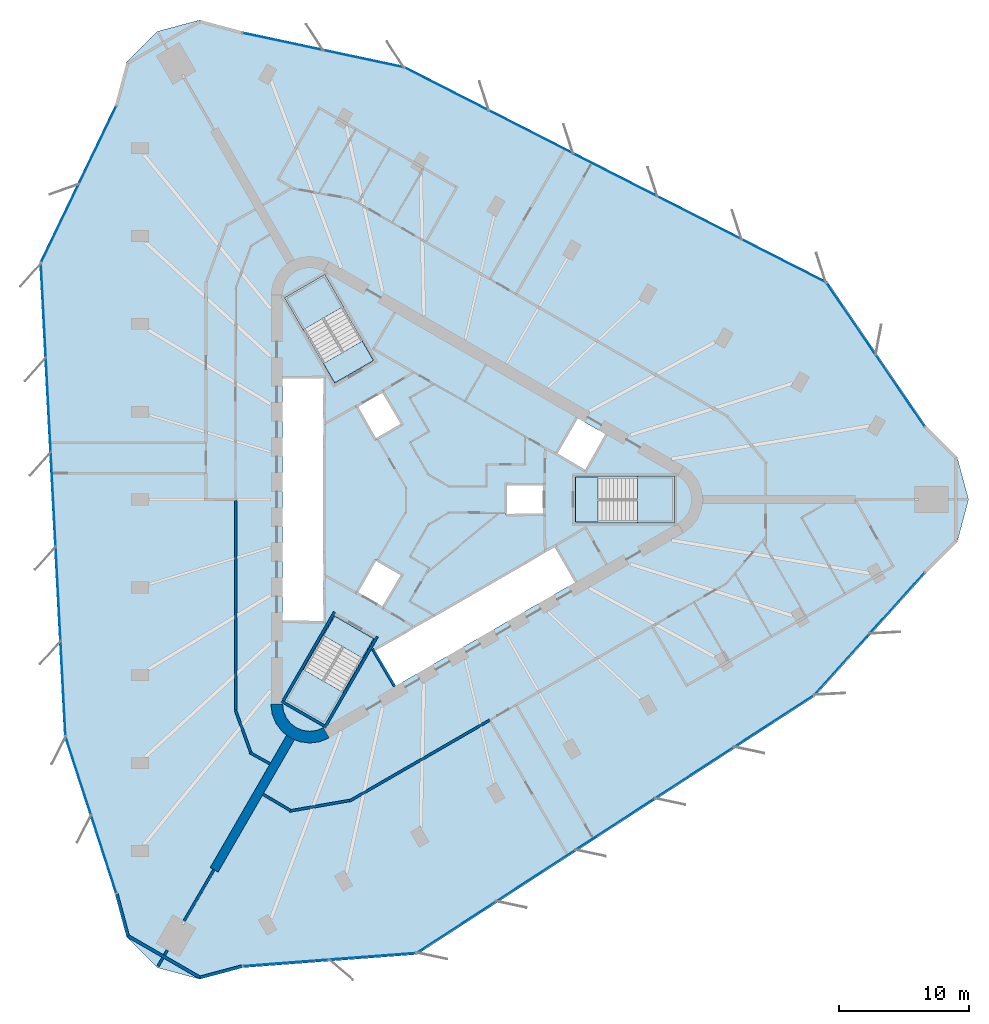
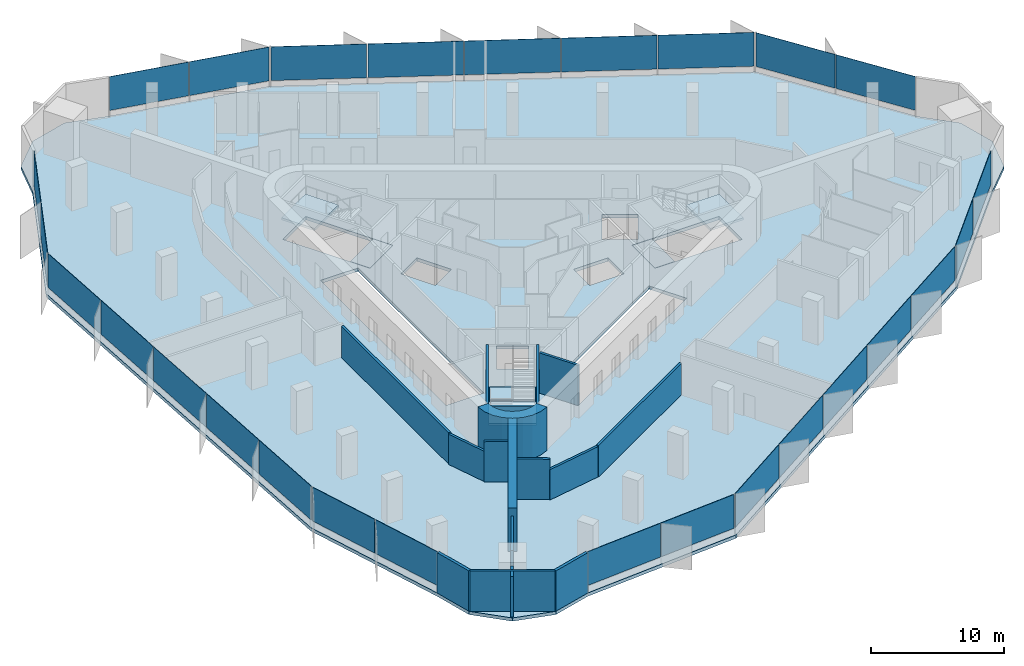
# One storey, part 7 of 14: 27 plates, 18 walls, 7 slabs, 12 elements without a shape of their own.
"""IFC4 building model written with IfcOpenShell, lengths in metres."""

from ifc_helpers import new_model, si_unit, direction, frame, frame_2d, origin, origin_2d, place, context, subcontext, project, spatial, polyline, rectangle, outline, extrude, material, layer, layer_set, type_object, element, aggregate, save


model = new_model("IFC4")

# Units and contexts
model_context = context("Model", 3, precision=1e-05, world=origin(), true_north=direction((0.0, 1.0)))
body_context = subcontext(model_context, "Body", "Model", "MODEL_VIEW")
ifc_project = project(units=[si_unit("LENGTHUNIT", "METRE"), si_unit("AREAUNIT", "SQUARE_METRE"), si_unit("VOLUMEUNIT", "CUBIC_METRE"), si_unit("PLANEANGLEUNIT", "RADIAN"), si_unit("MASSUNIT", "GRAM", prefix="KILO")], contexts=[model_context])

# Site, building, storey
site_placement = place(None, origin())
site = spatial("IfcSite", under=ifc_project, at=site_placement, CompositionType="ELEMENT")
building_placement = place(site_placement, origin())
building = spatial("IfcBuilding", under=site, at=building_placement, Name="Tanit Gate Tower", CompositionType="ELEMENT")
storey_placement = place(building_placement, frame((0.0, 0.0, 205.199951171875)))
storey = spatial("IfcBuildingStorey", under=building, at=storey_placement, Name="L45", CompositionType="ELEMENT", Elevation=205.199951171875)

# Slab
ifc_material_1 = material(Name="Concrete C35/45", Category="concrete")
ifc_layer_1 = layer(ifc_material_1, 0.300048828125)
ifc_layer_set_1 = layer_set([ifc_layer_1], Name="FLOOR SLAB 300 C35/45")
slab_type_1 = type_object("IfcSlabType", Name="FLOOR SLAB 300 C35/45", PredefinedType="FLOOR", material=ifc_layer_set_1)
slab_1_placement = place(storey_placement, frame((0.0, 0.0, -0.300048828125)))
element("IfcSlab", 1, at=slab_1_placement, inside=storey, type_object=slab_type_1, Name="FLOOR SLAB L45", PredefinedType="FLOOR", context=body_context, shape_type="SweptSolid", body=[
    extrude(outline(polyline([(38.39453125, 5.65771484375), (40.785888671875, 3.266357421875), (41.660888671875, 0.0), (40.785888671875, -3.266357421875), (38.39453125, -5.65771484375), (29.828857421875, -15.15869140625), (-0.8359375, -35.058349609375), (-14.297607421875, -36.07958984375), (-17.564208984375, -36.95458984375), (-20.83056640625, -36.07958984375), (-23.2216796875, -33.688232421875), (-24.096923828125, -30.421875), (-28.04248046875, -18.253173828125), (-29.943359375, 18.253173828125), (-24.096923828125, 30.421875), (-23.2216796875, 33.688232421875), (-20.83056640625, 36.07958984375), (-17.564208984375, 36.95458984375), (-14.297607421875, 36.07958984375), (-1.78662109375, 33.411865234375), (30.779296875, 16.80517578125), (38.39453125, 5.65771484375)]), holes=[polyline([(11.3701171875, 1.72998046875), (18.929931640625, 1.72998046875), (18.929931640625, -1.72998046875), (11.3701171875, -1.72998046875), (11.3701171875, 1.72998046875)]), polyline([(9.82080078125, 3.510009765625), (11.44580078125, 6.324462890625), (13.783935546875, 4.974609375), (12.158935546875, 2.159912109375), (9.82080078125, 3.510009765625)]), polyline([(-4.208984375, -11.60986328125), (9.82080078125, -3.510009765625), (11.44580078125, -6.324462890625), (-2.583984375, -14.424560546875), (-4.208984375, -11.60986328125)]), polyline([(6.0, 1.199951171875), (9.0, 1.199951171875), (9.0, -1.199951171875), (6.0, -1.199951171875), (6.0, 1.199951171875)]), polyline([(-5.539306640625, 7.194091796875), (-3.460693359375, 8.394287109375), (-1.960693359375, 5.796142578125), (-4.039306640625, 4.59619140625), (-5.539306640625, 7.194091796875)]), polyline([(-1.960693359375, -5.796142578125), (-3.460693359375, -8.394287109375), (-5.539306640625, -7.194091796875), (-4.039306640625, -4.59619140625), (-1.960693359375, -5.796142578125)]), polyline([(-10.963134765625, 15.52880859375), (-7.966796875, 17.2587890625), (-4.186767578125, 10.711669921875), (-7.18310546875, 8.981689453125), (-10.963134765625, 15.52880859375)]), polyline([(-4.186767578125, -10.711669921875), (-7.966796875, -17.2587890625), (-10.963134765625, -15.52880859375), (-7.18310546875, -8.981689453125), (-4.186767578125, -10.711669921875)]), polyline([(-11.199951171875, -9.449951171875), (-11.199951171875, 9.449951171875), (-7.949951171875, 9.449951171875), (-7.949951171875, -9.449951171875), (-11.199951171875, -9.449951171875)])]), origin(), (0.0, 0.0, 1.0), 0.300048828125),
])

# Curtain wall, plates
ifc_material_2 = material(Name="Aluminium bronze anodised and glass", Category="aluminium")
curtain_wall_type = type_object("IfcCurtainWallType", Name="Curtain wall typical mid", PredefinedType="NOTDEFINED", material=ifc_material_2)
curtain_wall_1_placement = place(storey_placement, origin())
curtain_wall_1 = element("IfcCurtainWall", 2, at=curtain_wall_1_placement, inside=storey, type_object=curtain_wall_type, Name="Curtain wall L45 NE1", PredefinedType="NOTDEFINED")
ifc_material_3 = material(Name="Glass tinted", Category="glass")
ifc_layer_2 = layer(ifc_material_3, 0.030029296875)
ifc_layer_set_2 = layer_set([ifc_layer_2], Name="Glass panel 30 typical mid")
plate_type = type_object("IfcPlateType", Name="Glass panel 30 typical mid", PredefinedType="CURTAIN_PANEL", material=ifc_layer_set_2)
plate_1_placement = place(storey_placement, frame((36.389404296875, 8.380126953125, 0.60009765625), z_axis=(0.0, 0.0, 1.0), x_axis=(-0.564077771762, 0.825721664608, 0.0)))
plate_1 = element("IfcPlate", 3, at=plate_1_placement, type_object=plate_type, Name="Glass panel L45 NE1.1", PredefinedType="CURTAIN_PANEL", context=body_context, shape_type="SweptSolid", body=[
    extrude(rectangle(XDim=6.620361328125, YDim=0.030029296875, at=origin_2d()), origin(), (0.0, 0.0, 1.0), 3.10009765625),
])
plate_2_placement = place(storey_placement, frame((32.60986328125, 13.912841796875, 0.60009765625), z_axis=(0.0, 0.0, 1.0), x_axis=(-0.564077771762, 0.825721664608, 0.0)))
plate_2 = element("IfcPlate", 4, at=plate_2_placement, type_object=plate_type, Name="Glass panel L45 NE1.2", PredefinedType="CURTAIN_PANEL", context=body_context, shape_type="SweptSolid", body=[
    extrude(rectangle(XDim=6.62060546875, YDim=0.030029296875, at=origin_2d()), origin(), (0.0, 0.0, 1.0), 3.10009765625),
])
aggregate(curtain_wall_1, [plate_1, plate_2])

curtain_wall_2_placement = place(storey_placement, origin())
curtain_wall_2 = element("IfcCurtainWall", 5, at=curtain_wall_2_placement, inside=storey, type_object=curtain_wall_type, Name="Curtain wall L45 NE2", PredefinedType="NOTDEFINED")
plate_3_placement = place(storey_placement, frame((27.41650390625, 18.38525390625, 0.60009765625), z_axis=(0.0, 0.0, 1.0), x_axis=(-0.890855088516, 0.454287586518, 0.0)))
plate_3 = element("IfcPlate", 6, at=plate_3_placement, type_object=plate_type, Name="Glass panel L45 NE2.1", PredefinedType="CURTAIN_PANEL", context=body_context, shape_type="SweptSolid", body=[
    extrude(rectangle(XDim=7.205810546875, YDim=0.030029296875, at=origin_2d()), origin(), (0.0, 0.0, 1.0), 3.10009765625),
])
plate_4_placement = place(storey_placement, frame((20.926025390625, 21.695068359375, 0.60009765625), z_axis=(0.0, 0.0, 1.0), x_axis=(-0.890855088516, 0.454287586518, 0.0)))
plate_4 = element("IfcPlate", 7, at=plate_4_placement, type_object=plate_type, Name="Glass panel L45 NE2.2", PredefinedType="CURTAIN_PANEL", context=body_context, shape_type="SweptSolid", body=[
    extrude(rectangle(XDim=7.205810546875, YDim=0.030029296875, at=origin_2d()), origin(), (0.0, 0.0, 1.0), 3.10009765625),
])
plate_5_placement = place(storey_placement, frame((14.435302734375, 25.005126953125, 0.60009765625), z_axis=(0.0, 0.0, 1.0), x_axis=(-0.890855088516, 0.454287586518, 0.0)))
plate_5 = element("IfcPlate", 8, at=plate_5_placement, type_object=plate_type, Name="Glass panel L45 NE2.3", PredefinedType="CURTAIN_PANEL", context=body_context, shape_type="SweptSolid", body=[
    extrude(rectangle(XDim=7.205810546875, YDim=0.030029296875, at=origin_2d()), origin(), (0.0, 0.0, 1.0), 3.10009765625),
])
plate_6_placement = place(storey_placement, frame((7.944580078125, 28.31494140625, 0.60009765625), z_axis=(0.0, 0.0, 1.0), x_axis=(-0.890855088516, 0.454287586518, 0.0)))
plate_6 = element("IfcPlate", 9, at=plate_6_placement, type_object=plate_type, Name="Glass panel L45 NE2.4", PredefinedType="CURTAIN_PANEL", context=body_context, shape_type="SweptSolid", body=[
    extrude(rectangle(XDim=7.205810546875, YDim=0.030029296875, at=origin_2d()), origin(), (0.0, 0.0, 1.0), 3.10009765625),
])
plate_7_placement = place(storey_placement, frame((1.4541015625, 31.624755859375, 0.60009765625), z_axis=(0.0, 0.0, 1.0), x_axis=(-0.890855088516, 0.454287586518, 0.0)))
plate_7 = element("IfcPlate", 10, at=plate_7_placement, type_object=plate_type, Name="Glass panel L45 NE2.5", PredefinedType="CURTAIN_PANEL", context=body_context, shape_type="SweptSolid", body=[
    extrude(rectangle(XDim=7.205810546875, YDim=0.030029296875, at=origin_2d()), origin(), (0.0, 0.0, 1.0), 3.10009765625),
])
aggregate(curtain_wall_2, [plate_3, plate_4, plate_5, plate_6, plate_7])

curtain_wall_3_placement = place(storey_placement, origin())
curtain_wall_3 = element("IfcCurtainWall", 11, at=curtain_wall_3_placement, inside=storey, type_object=curtain_wall_type, Name="Curtain wall L45 NE3", PredefinedType="NOTDEFINED")
plate_8_placement = place(storey_placement, frame((-4.97119140625, 33.96826171875, 0.60009765625), z_axis=(0.0, 0.0, 1.0), x_axis=(-0.978016696692, 0.208526595404, 0.0)))
plate_8 = element("IfcPlate", 12, at=plate_8_placement, type_object=plate_type, Name="Glass panel L45 NE3.1", PredefinedType="CURTAIN_PANEL", context=body_context, shape_type="SweptSolid", body=[
    extrude(rectangle(XDim=6.269775390625, YDim=0.030029296875, at=origin_2d()), origin(), (0.0, 0.0, 1.0), 3.10009765625),
])
plate_9_placement = place(storey_placement, frame((-11.181396484375, 35.29248046875, 0.60009765625), z_axis=(0.0, 0.0, 1.0), x_axis=(-0.978016696692, 0.208526595404, 0.0)))
plate_9 = element("IfcPlate", 13, at=plate_9_placement, type_object=plate_type, Name="Glass panel L45 NE3.2", PredefinedType="CURTAIN_PANEL", context=body_context, shape_type="SweptSolid", body=[
    extrude(rectangle(XDim=6.27001953125, YDim=0.030029296875, at=origin_2d()), origin(), (0.0, 0.0, 1.0), 3.10009765625),
])
aggregate(curtain_wall_3, [plate_8, plate_9])

curtain_wall_4_placement = place(storey_placement, origin())
curtain_wall_4 = element("IfcCurtainWall", 14, at=curtain_wall_4_placement, inside=storey, type_object=curtain_wall_type, Name="Curtain wall L45 W1", PredefinedType="NOTDEFINED")
plate_10_placement = place(storey_placement, frame((-25.4521484375, 27.32421875, 0.60009765625), z_axis=(0.0, 0.0, 1.0), x_axis=(-0.433057052125, -0.90136651236, 0.0)))
plate_10 = element("IfcPlate", 15, at=plate_10_placement, type_object=plate_type, Name="Glass panel L45 W1.1", PredefinedType="CURTAIN_PANEL", context=body_context, shape_type="SweptSolid", body=[
    extrude(rectangle(XDim=6.620361328125, YDim=0.030029296875, at=origin_2d()), origin(), (0.0, 0.0, 1.0), 3.10009765625),
])
plate_11_placement = place(storey_placement, frame((-28.353759765625, 21.28466796875, 0.60009765625), z_axis=(0.0, 0.0, 1.0), x_axis=(-0.433057052125, -0.90136651236, 0.0)))
plate_11 = element("IfcPlate", 16, at=plate_11_placement, type_object=plate_type, Name="Glass panel L45 W1.2", PredefinedType="CURTAIN_PANEL", context=body_context, shape_type="SweptSolid", body=[
    extrude(rectangle(XDim=6.62060546875, YDim=0.030029296875, at=origin_2d()), origin(), (0.0, 0.0, 1.0), 3.10009765625),
])
aggregate(curtain_wall_4, [plate_10, plate_11])

curtain_wall_5_placement = place(storey_placement, origin())
curtain_wall_5 = element("IfcCurtainWall", 17, at=curtain_wall_5_placement, inside=storey, type_object=curtain_wall_type, Name="Curtain wall L45 W2", PredefinedType="NOTDEFINED")
plate_12_placement = place(storey_placement, frame((-29.63037109375, 14.55078125, 0.60009765625), z_axis=(0.0, 0.0, 1.0), x_axis=(0.05200295371, -0.998646931005, 0.0)))
plate_12 = element("IfcPlate", 18, at=plate_12_placement, type_object=plate_type, Name="Glass panel L45 W2.1", PredefinedType="CURTAIN_PANEL", context=body_context, shape_type="SweptSolid", body=[
    extrude(rectangle(XDim=7.205810546875, YDim=0.030029296875, at=origin_2d()), origin(), (0.0, 0.0, 1.0), 3.10009765625),
])
plate_13_placement = place(storey_placement, frame((-29.25146484375, 7.27490234375, 0.60009765625), z_axis=(0.0, 0.0, 1.0), x_axis=(0.05200295371, -0.998646931005, 0.0)))
plate_13 = element("IfcPlate", 19, at=plate_13_placement, type_object=plate_type, Name="Glass panel L45 W2.2", PredefinedType="CURTAIN_PANEL", context=body_context, shape_type="SweptSolid", body=[
    extrude(rectangle(XDim=7.205810546875, YDim=0.030029296875, at=origin_2d()), origin(), (0.0, 0.0, 1.0), 3.10009765625),
])
plate_14_placement = place(storey_placement, frame((-28.87255859375, -0.001220703125, 0.60009765625), z_axis=(0.0, 0.0, 1.0), x_axis=(0.05200295371, -0.998646931005, 0.0)))
plate_14 = element("IfcPlate", 20, at=plate_14_placement, type_object=plate_type, Name="Glass panel L45 W2.3", PredefinedType="CURTAIN_PANEL", context=body_context, shape_type="SweptSolid", body=[
    extrude(rectangle(XDim=7.205810546875, YDim=0.030029296875, at=origin_2d()), origin(), (0.0, 0.0, 1.0), 3.10009765625),
])
plate_15_placement = place(storey_placement, frame((-28.49365234375, -7.277099609375, 0.60009765625), z_axis=(0.0, 0.0, 1.0), x_axis=(0.05200295371, -0.998646931005, 0.0)))
plate_15 = element("IfcPlate", 21, at=plate_15_placement, type_object=plate_type, Name="Glass panel L45 W2.4", PredefinedType="CURTAIN_PANEL", context=body_context, shape_type="SweptSolid", body=[
    extrude(rectangle(XDim=7.205810546875, YDim=0.030029296875, at=origin_2d()), origin(), (0.0, 0.0, 1.0), 3.10009765625),
])
plate_16_placement = place(storey_placement, frame((-28.11474609375, -14.55322265625, 0.60009765625), z_axis=(0.0, 0.0, 1.0), x_axis=(0.05200295371, -0.998646931005, 0.0)))
plate_16 = element("IfcPlate", 22, at=plate_16_placement, type_object=plate_type, Name="Glass panel L45 W2.5", PredefinedType="CURTAIN_PANEL", context=body_context, shape_type="SweptSolid", body=[
    extrude(rectangle(XDim=7.205810546875, YDim=0.030029296875, at=origin_2d()), origin(), (0.0, 0.0, 1.0), 3.10009765625),
])
aggregate(curtain_wall_5, [plate_12, plate_13, plate_14, plate_15, plate_16])

curtain_wall_6_placement = place(storey_placement, origin())
curtain_wall_6 = element("IfcCurtainWall", 23, at=curtain_wall_6_placement, inside=storey, type_object=curtain_wall_type, Name="Curtain wall L45 W3", PredefinedType="NOTDEFINED")
plate_17_placement = place(storey_placement, frame((-26.931884765625, -21.289306640625, 0.60009765625), z_axis=(0.0, 0.0, 1.0), x_axis=(0.308419019362, -0.951250602363, 0.0)))
plate_17 = element("IfcPlate", 24, at=plate_17_placement, type_object=plate_type, Name="Glass panel L45 W3.1", PredefinedType="CURTAIN_PANEL", context=body_context, shape_type="SweptSolid", body=[
    extrude(rectangle(XDim=6.269775390625, YDim=0.030029296875, at=origin_2d()), origin(), (0.0, 0.0, 1.0), 3.10009765625),
])
plate_18_placement = place(storey_placement, frame((-24.973388671875, -27.32958984375, 0.60009765625), z_axis=(0.0, 0.0, 1.0), x_axis=(0.308419019362, -0.951250602363, 0.0)))
plate_18 = element("IfcPlate", 25, at=plate_18_placement, type_object=plate_type, Name="Glass panel L45 W3.2", PredefinedType="CURTAIN_PANEL", context=body_context, shape_type="SweptSolid", body=[
    extrude(rectangle(XDim=6.27001953125, YDim=0.030029296875, at=origin_2d()), origin(), (0.0, 0.0, 1.0), 3.10009765625),
])
aggregate(curtain_wall_6, [plate_17, plate_18])

curtain_wall_7_placement = place(storey_placement, origin())
curtain_wall_7 = element("IfcCurtainWall", 26, at=curtain_wall_7_placement, inside=storey, type_object=curtain_wall_type, Name="Curtain wall L45 SE1", PredefinedType="NOTDEFINED")
plate_19_placement = place(storey_placement, frame((-10.937255859375, -35.704345703125, 0.60009765625), z_axis=(0.0, 0.0, 1.0), x_axis=(0.997134823887, 0.075644847752, 0.0)))
plate_19 = element("IfcPlate", 27, at=plate_19_placement, type_object=plate_type, Name="Glass panel L45 SE1.1", PredefinedType="CURTAIN_PANEL", context=body_context, shape_type="SweptSolid", body=[
    extrude(rectangle(XDim=6.620361328125, YDim=0.030029296875, at=origin_2d()), origin(), (0.0, 0.0, 1.0), 3.10009765625),
])
plate_20_placement = place(storey_placement, frame((-4.256103515625, -35.197265625, 0.60009765625), z_axis=(0.0, 0.0, 1.0), x_axis=(0.997134823887, 0.075644847752, 0.0)))
plate_20 = element("IfcPlate", 28, at=plate_20_placement, type_object=plate_type, Name="Glass panel L45 SE1.2", PredefinedType="CURTAIN_PANEL", context=body_context, shape_type="SweptSolid", body=[
    extrude(rectangle(XDim=6.62060546875, YDim=0.030029296875, at=origin_2d()), origin(), (0.0, 0.0, 1.0), 3.10009765625),
])
aggregate(curtain_wall_7, [plate_19, plate_20])

curtain_wall_8_placement = place(storey_placement, origin())
curtain_wall_8 = element("IfcCurtainWall", 29, at=curtain_wall_8_placement, inside=storey, type_object=curtain_wall_type, Name="Curtain wall L45 SE2", PredefinedType="NOTDEFINED")
plate_21_placement = place(storey_placement, frame((2.2138671875, -32.93603515625, 0.60009765625), z_axis=(0.0, 0.0, 1.0), x_axis=(0.838852134807, 0.544359344487, 0.0)))
plate_21 = element("IfcPlate", 30, at=plate_21_placement, type_object=plate_type, Name="Glass panel L45 SE2.1", PredefinedType="CURTAIN_PANEL", context=body_context, shape_type="SweptSolid", body=[
    extrude(rectangle(XDim=7.205810546875, YDim=0.030029296875, at=origin_2d()), origin(), (0.0, 0.0, 1.0), 3.10009765625),
])
plate_22_placement = place(storey_placement, frame((8.32568359375, -28.969970703125, 0.60009765625), z_axis=(0.0, 0.0, 1.0), x_axis=(0.838852134807, 0.544359344487, 0.0)))
plate_22 = element("IfcPlate", 31, at=plate_22_placement, type_object=plate_type, Name="Glass panel L45 SE2.2", PredefinedType="CURTAIN_PANEL", context=body_context, shape_type="SweptSolid", body=[
    extrude(rectangle(XDim=7.205810546875, YDim=0.030029296875, at=origin_2d()), origin(), (0.0, 0.0, 1.0), 3.10009765625),
])
plate_23_placement = place(storey_placement, frame((14.437255859375, -25.00390625, 0.60009765625), z_axis=(0.0, 0.0, 1.0), x_axis=(0.838852134807, 0.544359344487, 0.0)))
plate_23 = element("IfcPlate", 32, at=plate_23_placement, type_object=plate_type, Name="Glass panel L45 SE2.3", PredefinedType="CURTAIN_PANEL", context=body_context, shape_type="SweptSolid", body=[
    extrude(rectangle(XDim=7.205810546875, YDim=0.030029296875, at=origin_2d()), origin(), (0.0, 0.0, 1.0), 3.10009765625),
])
plate_24_placement = place(storey_placement, frame((20.549072265625, -21.03759765625, 0.60009765625), z_axis=(0.0, 0.0, 1.0), x_axis=(0.838852134807, 0.544359344487, 0.0)))
plate_24 = element("IfcPlate", 33, at=plate_24_placement, type_object=plate_type, Name="Glass panel L45 SE2.4", PredefinedType="CURTAIN_PANEL", context=body_context, shape_type="SweptSolid", body=[
    extrude(rectangle(XDim=7.205810546875, YDim=0.030029296875, at=origin_2d()), origin(), (0.0, 0.0, 1.0), 3.10009765625),
])
plate_25_placement = place(storey_placement, frame((26.660888671875, -17.071533203125, 0.60009765625), z_axis=(0.0, 0.0, 1.0), x_axis=(0.838852134807, 0.544359344487, 0.0)))
plate_25 = element("IfcPlate", 34, at=plate_25_placement, type_object=plate_type, Name="Glass panel L45 SE2.5", PredefinedType="CURTAIN_PANEL", context=body_context, shape_type="SweptSolid", body=[
    extrude(rectangle(XDim=7.205810546875, YDim=0.030029296875, at=origin_2d()), origin(), (0.0, 0.0, 1.0), 3.10009765625),
])
aggregate(curtain_wall_8, [plate_21, plate_22, plate_23, plate_24, plate_25])

curtain_wall_9_placement = place(storey_placement, origin())
curtain_wall_9 = element("IfcCurtainWall", 35, at=curtain_wall_9_placement, inside=storey, type_object=curtain_wall_type, Name="Curtain wall L45 SE3", PredefinedType="NOTDEFINED")
plate_26_placement = place(storey_placement, frame((31.903076171875, -12.678955078125, 0.60009765625), z_axis=(0.0, 0.0, 1.0), x_axis=(0.669597677331, 0.742724006959, 0.0)))
plate_26 = element("IfcPlate", 36, at=plate_26_placement, type_object=plate_type, Name="Glass panel L45 SE3.1", PredefinedType="CURTAIN_PANEL", context=body_context, shape_type="SweptSolid", body=[
    extrude(rectangle(XDim=6.269775390625, YDim=0.030029296875, at=origin_2d()), origin(), (0.0, 0.0, 1.0), 3.10009765625),
])
plate_27_placement = place(storey_placement, frame((36.15478515625, -7.962890625, 0.60009765625), z_axis=(0.0, 0.0, 1.0), x_axis=(0.669597677331, 0.742724006959, 0.0)))
plate_27 = element("IfcPlate", 37, at=plate_27_placement, type_object=plate_type, Name="Glass panel L45 SE3.2", PredefinedType="CURTAIN_PANEL", context=body_context, shape_type="SweptSolid", body=[
    extrude(rectangle(XDim=6.27001953125, YDim=0.030029296875, at=origin_2d()), origin(), (0.0, 0.0, 1.0), 3.10009765625),
])
aggregate(curtain_wall_9, [plate_26, plate_27])

# Stair, slab
ifc_material_4 = material(Name="Concrete C40/50", Category="concrete")
stair_type = type_object("IfcStairType", Name="INT-STAIR-EXIT", PredefinedType="HALF_TURN_STAIR", material=ifc_material_4)
stair_1_placement = place(storey_placement, origin())
stair_1 = element("IfcStair", 38, at=stair_1_placement, inside=storey, type_object=stair_type, Name="L45 STAIR S1", PredefinedType="HALF_TURN_STAIR")
ifc_material_5 = material(Name="Concrete C40/50", Category="concrete")
ifc_layer_3 = layer(ifc_material_5, 0.199951171875)
ifc_layer_set_3 = layer_set([ifc_layer_3], Name="INT-STAIR-LANDING")
slab_type_2 = type_object("IfcSlabType", Name="INT-STAIR-LANDING", PredefinedType="LANDING", material=ifc_layer_set_3)
slab_2_placement = place(storey_placement, frame((0.0, 0.0, 1.800048828125)))
slab_2 = element("IfcSlab", 39, at=slab_2_placement, type_object=slab_type_2, Name="S1 landing 1", PredefinedType="LANDING", context=body_context, shape_type="SweptSolid", body=[
    extrude(outline(polyline([(16.135986328125, -1.800048828125), (19.0, -1.800048828125), (19.0, 1.800048828125), (16.135986328125, 1.800048828125), (16.135986328125, -1.800048828125)])), origin(), (0.0, 0.0, 1.0), 0.199951171875),
])
aggregate(stair_1, [slab_2])

# Slab
slab_3_placement = place(storey_placement, frame((0.0, 0.0, -0.199951171875)))
element("IfcSlab", 40, at=slab_3_placement, inside=storey, type_object=slab_type_2, Name="S1 floor landing", PredefinedType="LANDING", context=body_context, shape_type="SweptSolid", body=[
    extrude(outline(polyline([(11.3798828125, -1.719970703125), (13.10498046875, -1.719970703125), (13.10498046875, 1.719970703125), (11.3798828125, 1.719970703125), (11.3798828125, -1.719970703125)])), origin(), (0.0, 0.0, 1.0), 0.199951171875),
])

# Stair, slab
stair_2_placement = place(storey_placement, origin())
stair_2 = element("IfcStair", 41, at=stair_2_placement, inside=storey, type_object=stair_type, Name="L45 STAIR S2", PredefinedType="HALF_TURN_STAIR")
slab_4_placement = place(storey_placement, frame((0.0, 0.0, 1.800048828125)))
slab_4 = element("IfcSlab", 42, at=slab_4_placement, type_object=slab_type_2, Name="S2 landing 1", PredefinedType="LANDING", context=body_context, shape_type="SweptSolid", body=[
    extrude(outline(polyline([(-6.5078125, 14.871826171875), (-7.941162109375, 17.3544921875), (-11.058837890625, 15.554443359375), (-9.62548828125, 13.07177734375), (-6.5078125, 14.871826171875)])), origin(), (0.0, 0.0, 1.0), 0.199951171875),
])
aggregate(stair_2, [slab_4])

# Slab
slab_5_placement = place(storey_placement, frame((0.0, 0.0, -0.199951171875)))
element("IfcSlab", 43, at=slab_5_placement, inside=storey, type_object=slab_type_2, Name="S2 floor landing", PredefinedType="LANDING", context=body_context, shape_type="SweptSolid", body=[
    extrude(outline(polyline([(-4.200439453125, 10.71533203125), (-5.0625, 12.20849609375), (-8.04150390625, 10.48828125), (-7.179443359375, 8.995361328125), (-4.200439453125, 10.71533203125)])), origin(), (0.0, 0.0, 1.0), 0.199951171875),
])

# Stair, slab
stair_3_placement = place(storey_placement, origin())
stair_3 = element("IfcStair", 44, at=stair_3_placement, inside=storey, type_object=stair_type, Name="L45 STAIR S3", PredefinedType="HALF_TURN_STAIR")
slab_6_placement = place(storey_placement, frame((0.0, 0.0, 1.800048828125)))
slab_6 = element("IfcSlab", 45, at=slab_6_placement, type_object=slab_type_2, Name="S3 landing 1", PredefinedType="LANDING", context=body_context, shape_type="SweptSolid", body=[
    extrude(outline(polyline([(-9.626953125, -13.07421875), (-11.058837890625, -15.554443359375), (-7.941162109375, -17.3544921875), (-6.509033203125, -14.874267578125), (-9.626953125, -13.07421875)])), origin(), (0.0, 0.0, 1.0), 0.199951171875),
])
aggregate(stair_3, [slab_6])

# Slab
slab_7_placement = place(storey_placement, frame((0.0, 0.0, -0.199951171875)))
element("IfcSlab", 46, at=slab_7_placement, inside=storey, type_object=slab_type_2, Name="S3 floor landing", PredefinedType="LANDING", context=body_context, shape_type="SweptSolid", body=[
    extrude(outline(polyline([(-7.179443359375, -8.995361328125), (-8.0419921875, -10.4892578125), (-5.06298828125, -12.209228515625), (-4.200439453125, -10.71533203125), (-7.179443359375, -8.995361328125)])), origin(), (0.0, 0.0, 1.0), 0.199951171875),
])

# Walls
ifc_material_6 = material(Name="Concrete C50/60", Category="concrete")
ifc_layer_4 = layer(ifc_material_6, 0.699951171875)
ifc_layer_set_4 = layer_set([ifc_layer_4], Name="BUTTRESS FIN 700 C50/60")
wall_type_1 = type_object("IfcWallType", Name="BUTTRESS FIN 700 C50/60", PredefinedType="SHEAR", material=ifc_layer_set_4)
wall_1_placement = place(storey_placement, frame((-10.574951171875, -18.31640625, 0.0), z_axis=(0.0, 0.0, 1.0), x_axis=(-0.499999598486, -0.866025635599, 0.0)))
element("IfcWall", 47, at=wall_1_placement, inside=storey, type_object=wall_type_1, Name="BUTTRESS FIN", PredefinedType="SHEAR", context=body_context, shape_type="SweptSolid", body=[
    extrude(rectangle(XDim=11.7939453125, YDim=0.699951171875, at=frame_2d((5.89697265625, 0.0))), origin(), (0.0, 0.0, 1.0), 4.0),
])
ifc_material_7 = material(Name="Concrete C50/60", Category="concrete")
ifc_layer_5 = layer(ifc_material_7, 0.89990234375)
ifc_layer_set_5 = layer_set([ifc_layer_5], Name="CORE WALL 900 C50/60")
wall_type_2 = type_object("IfcWallType", Name="CORE WALL 900 C50/60", PredefinedType="SHEAR", material=ifc_layer_set_5)
wall_2_placement = place(storey_placement, origin())
element("IfcWall", 48, at=wall_2_placement, inside=storey, type_object=wall_type_2, Name="CORE WALL CORNER", PredefinedType="SHEAR", context=body_context, shape_type="SweptSolid", body=[
    extrude(outline(polyline([(-12.10009765625, -15.76171875), (-11.997802734375, -16.5380859375), (-11.697998046875, -17.26171875), (-11.22119140625, -17.883056640625), (-10.60009765625, -18.359619140625), (-9.87646484375, -18.659423828125), (-9.10009765625, -18.76171875), (-8.323486328125, -18.659423828125), (-7.60009765625, -18.359619140625), (-8.050048828125, -17.580322265625), (-8.556396484375, -17.7900390625), (-9.10009765625, -17.86181640625), (-9.6435546875, -17.7900390625), (-10.14990234375, -17.580322265625), (-10.5849609375, -17.24658203125), (-10.918701171875, -16.811767578125), (-11.12841796875, -16.30517578125), (-11.199951171875, -15.76171875), (-12.10009765625, -15.76171875)])), origin(), (0.0, 0.0, 1.0), 4.0),
])
ifc_material_8 = material(Name="Concrete C30/37 with bronze anodised aluminium cladding", Category="concrete")
ifc_layer_6 = layer(ifc_material_8, 0.239990234375)
ifc_layer_set_6 = layer_set([ifc_layer_6], Name="Facade wall bronze clad 240")
wall_type_3 = type_object("IfcWallType", Name="Facade wall bronze clad 240", PredefinedType="SOLIDWALL", material=ifc_layer_set_6)
wall_3_placement = place(storey_placement, frame((-23.98193359375, -30.3876953125, 0.0), z_axis=(0.0, 0.0, 1.0), x_axis=(0.258863474337, -0.965913920416, 0.0)))
element("IfcWall", 49, at=wall_3_placement, inside=storey, type_object=wall_type_3, Name="Bronze-clad facade wall L45 SW.arc1", PredefinedType="SOLIDWALL", context=body_context, shape_type="SweptSolid", body=[
    extrude(rectangle(XDim=3.352783203125, YDim=0.239990234375, at=frame_2d((1.67626953125, 0.0))), origin(), (0.0, 0.0, 1.0), 3.699951171875),
])
wall_4_placement = place(storey_placement, frame((-23.114013671875, -33.626220703125, 0.0), z_axis=(0.0, 0.0, 1.0), x_axis=(0.86602381473, -0.500002752313, 0.0)))
element("IfcWall", 50, at=wall_4_placement, inside=storey, type_object=wall_type_3, Name="Bronze-clad facade wall L45 SW.arc2", PredefinedType="SOLIDWALL", context=body_context, shape_type="SweptSolid", body=[
    extrude(rectangle(XDim=6.40869140625, YDim=0.239990234375, at=frame_2d((3.204345703125, 0.0))), origin(), (0.0, 0.0, 1.0), 3.699951171875),
])
wall_5_placement = place(storey_placement, frame((-17.56396484375, -36.83056640625, 0.0), z_axis=(0.0, 0.0, 1.0), x_axis=(0.965919514081, 0.258842601434, 0.0)))
element("IfcWall", 51, at=wall_5_placement, inside=storey, type_object=wall_type_3, Name="Bronze-clad facade wall L45 SW.arc3", PredefinedType="SOLIDWALL", context=body_context, shape_type="SweptSolid", body=[
    extrude(rectangle(XDim=3.360595703125, YDim=0.239990234375, at=frame_2d((1.68017578125, 0.0))), origin(), (0.0, 0.0, 1.0), 3.699951171875),
])
ifc_material_9 = material(Name="Fire-rated gypsum board partition")
ifc_layer_7 = layer(ifc_material_9, 0.199951171875)
ifc_layer_set_7 = layer_set([ifc_layer_7], Name="INT-WALL-COMPARTMENT")
wall_type_4 = type_object("IfcWallType", Name="INT-WALL-COMPARTMENT", PredefinedType="PARTITIONING", material=ifc_layer_set_7)
wall_6_placement = place(storey_placement, frame((-13.722412109375, -19.499267578125, 0.0), z_axis=(0.0, 0.0, 1.0), x_axis=(0.873381780332, -0.487036205824, 0.0)))
element("IfcWall", 52, at=wall_6_placement, inside=storey, type_object=wall_type_4, Name="Wall Compartment W095", PredefinedType="PARTITIONING", context=body_context, shape_type="SweptSolid", body=[
    extrude(rectangle(XDim=1.78466796875, YDim=0.199951171875, at=frame_2d((0.892333984375, 0.0))), origin(), (0.0, 0.0, 1.0), 3.699951171875),
])
wall_7_placement = place(storey_placement, frame((-14.834228515625, -16.22314453125, 0.0), z_axis=(0.0, 0.0, 1.0), x_axis=(0.342017717312, -0.939693503779, 0.0)))
element("IfcWall", 53, at=wall_7_placement, inside=storey, type_object=wall_type_4, Name="Wall Compartment W096", PredefinedType="PARTITIONING", context=body_context, shape_type="SweptSolid", body=[
    extrude(rectangle(XDim=3.4970703125, YDim=0.199951171875, at=frame_2d((1.74853515625, 0.0))), origin(), (0.0, 0.0, 1.0), 2.780029296875),
])
wall_8_placement = place(storey_placement, frame((-14.800048828125, -0.070068359375, 0.0), z_axis=(0.0, 0.0, 1.0), x_axis=(0.0, -1.0, 0.0)))
element("IfcWall", 54, at=wall_8_placement, inside=storey, type_object=wall_type_4, Name="Wall Compartment W097", PredefinedType="PARTITIONING", context=body_context, shape_type="SweptSolid", body=[
    extrude(rectangle(XDim=16.14697265625, YDim=0.199951171875, at=frame_2d((8.073486328125, 0.0))), origin(), (0.0, 0.0, 1.0), 2.880126953125),
])
wall_9_placement = place(storey_placement, frame((-6.018798828125, -23.220458984375, 0.0), z_axis=(0.0, 0.0, 1.0), x_axis=(0.866022928472, 0.500004287342, 0.0)))
element("IfcWall", 55, at=wall_9_placement, inside=storey, type_object=wall_type_4, Name="Wall Compartment W111", PredefinedType="PARTITIONING", context=body_context, shape_type="SweptSolid", body=[
    extrude(rectangle(XDim=12.47265625, YDim=0.199951171875, at=frame_2d((6.236328125, 0.0))), origin(), (0.0, 0.0, 1.0), 2.880126953125),
])
wall_10_placement = place(storey_placement, frame((-10.664794921875, -24.0048828125, 0.0), z_axis=(0.0, 0.0, 1.0), x_axis=(0.984806532296, 0.173655100553, 0.0)))
element("IfcWall", 56, at=wall_10_placement, inside=storey, type_object=wall_type_4, Name="Wall Compartment W112", PredefinedType="PARTITIONING", context=body_context, shape_type="SweptSolid", body=[
    extrude(rectangle(XDim=4.70556640625, YDim=0.199951171875, at=frame_2d((2.352783203125, 0.0))), origin(), (0.0, 0.0, 1.0), 2.780029296875),
])
wall_11_placement = place(storey_placement, frame((-12.706787109375, -22.708984375, 0.0), z_axis=(0.0, 0.0, 1.0), x_axis=(0.860754387085, -0.509020515415, 0.0)))
element("IfcWall", 57, at=wall_11_placement, inside=storey, type_object=wall_type_4, Name="Wall Compartment W113", PredefinedType="PARTITIONING", context=body_context, shape_type="SweptSolid", body=[
    extrude(rectangle(XDim=2.45703125, YDim=0.199951171875, at=frame_2d((1.228515625, 0.0))), origin(), (0.0, 0.0, 1.0), 3.699951171875),
])
wall_12_placement = place(storey_placement, frame((-20.790283203125, -35.949951171875, 0.0), z_axis=(0.0, 0.0, 1.0), x_axis=(0.499876722092, 0.86609656662, 0.0)))
element("IfcWall", 58, at=wall_12_placement, inside=storey, type_object=wall_type_4, Name="Wall Compartment W121", PredefinedType="PARTITIONING", context=body_context, shape_type="SweptSolid", body=[
    extrude(rectangle(XDim=0.730712890625, YDim=0.199951171875, at=frame_2d((0.365234375, 0.0))), origin(), (0.0, 0.0, 1.0), 3.699951171875),
])
wall_13_placement = place(storey_placement, frame((-20.30517578125, -35.109375, 0.0), z_axis=(0.0, 0.0, 1.0), x_axis=(0.500132045864, 0.865949153646, 0.0)))
element("IfcWall", 59, at=wall_13_placement, inside=storey, type_object=wall_type_4, Name="Wall Compartment W121x1", PredefinedType="PARTITIONING", context=body_context, shape_type="SweptSolid", body=[
    extrude(rectangle(XDim=0.447265625, YDim=0.199951171875, at=frame_2d((0.2236328125, 0.0))), origin(), (0.0, 0.0, 1.0), 3.699951171875),
])
wall_14_placement = place(storey_placement, frame((-18.781494140625, -32.470458984375, 0.0), z_axis=(0.0, 0.0, 1.0), x_axis=(0.502274788288, 0.864708064638, 0.0)))
element("IfcWall", 60, at=wall_14_placement, inside=storey, type_object=wall_type_4, Name="Wall Compartment W122", PredefinedType="PARTITIONING", context=body_context, shape_type="SweptSolid", body=[
    extrude(rectangle(XDim=4.567138671875, YDim=0.199951171875, at=frame_2d((2.28369140625, 0.0))), origin(), (0.0, 0.0, 1.0), 3.27001953125),
])
ifc_material_10 = material(Name="Gypsum shaft wall system")
ifc_layer_8 = layer(ifc_material_10, 0.199951171875)
ifc_layer_set_8 = layer_set([ifc_layer_8], Name="INT-WALL-SHAFT")
wall_type_5 = type_object("IfcWallType", Name="INT-WALL-SHAFT", PredefinedType="PLUMBINGWALL", material=ifc_layer_set_8)
wall_15_placement = place(storey_placement, frame((-2.557861328125, -14.409423828125, 0.0), z_axis=(0.0, 0.0, 1.0), x_axis=(-0.507997497166, 0.861358544901, 0.0)))
element("IfcWall", 61, at=wall_15_placement, inside=storey, type_object=wall_type_5, Name="Wall Shaft W019", PredefinedType="PLUMBINGWALL", context=body_context, shape_type="SweptSolid", body=[
    extrude(rectangle(XDim=3.350341796875, YDim=0.199951171875, at=frame_2d((1.67529296875, 0.0))), origin(), (0.0, 0.0, 1.0), 3.699951171875),
])
ifc_material_11 = material(Name="Concrete C40/50", Category="concrete")
ifc_layer_9 = layer(ifc_material_11, 0.199951171875)
ifc_layer_set_9 = layer_set([ifc_layer_9], Name="INT-WALL-STAIR")
wall_type_6 = type_object("IfcWallType", Name="INT-WALL-STAIR", PredefinedType="SHEAR", material=ifc_layer_set_9)
wall_16_placement = place(storey_placement, frame((-3.904541015625, -10.56298828125, -0.300048828125), z_axis=(0.0, 0.0, 1.0), x_axis=(-0.500012932018, -0.866017937352, 0.0)))
element("IfcWall", 62, at=wall_16_placement, inside=storey, type_object=wall_type_6, Name="Wall Stair W041", PredefinedType="SHEAR", context=body_context, shape_type="SweptSolid", body=[
    extrude(rectangle(XDim=8.099853515625, YDim=0.199951171875, at=frame_2d((4.0498046875, 0.0))), origin(), (0.0, 0.0, 1.0), 4.0),
])
wall_17_placement = place(storey_placement, frame((-11.281982421875, -15.541015625, -0.300048828125), z_axis=(0.0, 0.0, 1.0), x_axis=(0.866000483506, -0.500043160704, 0.0)))
element("IfcWall", 63, at=wall_17_placement, inside=storey, type_object=wall_type_6, Name="Wall Stair W042", PredefinedType="SHEAR", context=body_context, shape_type="SweptSolid", body=[
    extrude(rectangle(XDim=3.800048828125, YDim=0.199951171875, at=frame_2d((1.89990234375, 0.0))), origin(), (0.0, 0.0, 1.0), 4.0),
])
wall_18_placement = place(storey_placement, frame((-7.195556640625, -8.662841796875, -0.300048828125), z_axis=(0.0, 0.0, 1.0), x_axis=(-0.499997992926, -0.866026562566, 0.0)))
element("IfcWall", 64, at=wall_18_placement, inside=storey, type_object=wall_type_6, Name="Wall Stair W043", PredefinedType="SHEAR", context=body_context, shape_type="SweptSolid", body=[
    extrude(rectangle(XDim=7.89990234375, YDim=0.199951171875, at=frame_2d((3.949951171875, 0.0))), origin(), (0.0, 0.0, 1.0), 4.0),
])

save(model, "model.ifc")
